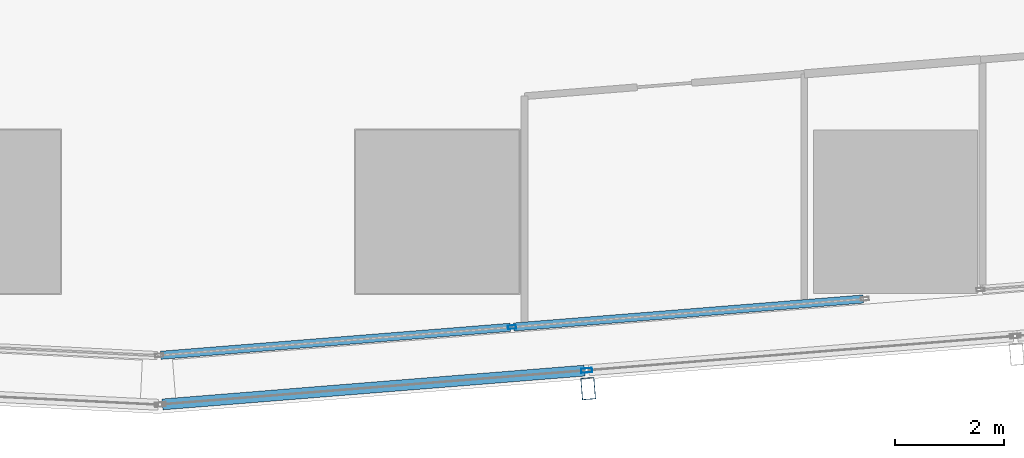
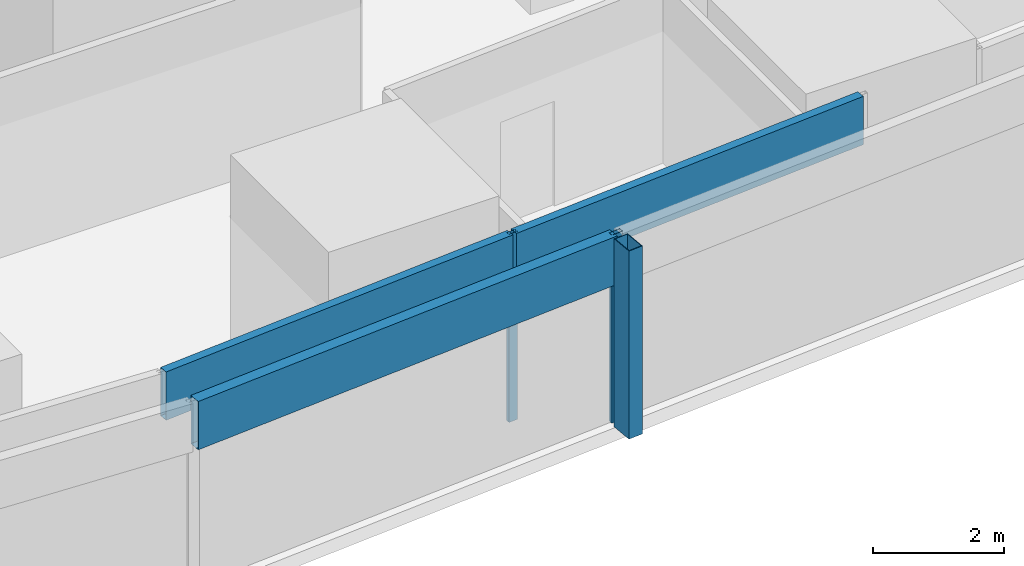
# One storey, part 10 of 45: 6 members, 2 elements without a shape of their own.
"""IFC4 building model written with IfcOpenShell, lengths in metres."""

from ifc_helpers import new_model, si_unit, direction, frame, origin, origin_2d, place, context, subcontext, project, spatial, hollow_rectangle, extrude, material, material_profile, profile_set, type_object, element, aggregate, save


model = new_model("IFC4")

# Units and contexts
model_context = context("Model", 3, precision=1e-05, world=origin(), true_north=direction((0.0, 1.0)))
body_context = subcontext(model_context, "Body", "Model", "MODEL_VIEW")
ifc_project = project(units=[si_unit("LENGTHUNIT", "METRE"), si_unit("AREAUNIT", "SQUARE_METRE"), si_unit("VOLUMEUNIT", "CUBIC_METRE"), si_unit("PLANEANGLEUNIT", "RADIAN"), si_unit("MASSUNIT", "GRAM", prefix="KILO")], contexts=[model_context])

# Site, building, storey
site_placement = place(None, origin())
site = spatial("IfcSite", under=ifc_project, at=site_placement, CompositionType="ELEMENT")
building_placement = place(site_placement, origin())
building = spatial("IfcBuilding", under=site, at=building_placement, Name="Rekha Terrace Tower", CompositionType="ELEMENT")
storey_placement = place(building_placement, frame((0.0, 0.0, 77.89990234375)))
storey = spatial("IfcBuildingStorey", under=building, at=storey_placement, Name="L19", CompositionType="ELEMENT", Elevation=77.89990234375)

# Curtain wall, member
ifc_material_1 = material(Name="Aluminium framing", Category="aluminium")
curtain_wall_type_1 = type_object("IfcCurtainWallType", Name="CW2 double skin outer glazing", PredefinedType="USERDEFINED", material=ifc_material_1)
curtain_wall_1_placement = place(storey_placement, origin())
curtain_wall_1 = element("IfcCurtainWall", 1, at=curtain_wall_1_placement, inside=storey, type_object=curtain_wall_type_1, Name="CW2 double skin outer glazing", ObjectType="DOUBLE SKIN OUTER GLAZING", PredefinedType="USERDEFINED")
ifc_material_2 = material(Name="Steel S355 with fluorocarbon finish", Category="steel")
ifc_material_profile_1 = material_profile(ifc_material_2, hollow_rectangle(XDim=0.25, YDim=0.39990234375, WallThickness=0.012451171875, at=origin_2d()), Name="RHS400x250x12.5")
ifc_profile_set_1 = profile_set([ifc_material_profile_1], Name="Steel S355 with fluorocarbon finish")
member_type_1 = type_object("IfcMemberType", Name="BL1 facade blade RHS 400 x 250", PredefinedType="USERDEFINED", material=ifc_profile_set_1)
member_1_placement = place(storey_placement, frame((53.16748046875, 5.15576171875, 0.0), z_axis=(0.0, 0.0, 1.0), x_axis=(0.996805139821, 0.079871855039, 0.0)))
member_1 = element("IfcMember", 2, at=member_1_placement, type_object=member_type_1, Name="Facade blade", ObjectType="FACADE BLADE", PredefinedType="USERDEFINED", context=body_context, shape_type="SweptSolid", body=[
    extrude(hollow_rectangle(XDim=0.25, YDim=0.39990234375, WallThickness=0.012451171875, at=origin_2d()), origin(), (0.0, 0.0, 1.0), 3.5),
])

# Curtain wall, members
curtain_wall_type_2 = type_object("IfcCurtainWallType", Name="CW1 double skin inner glazing", PredefinedType="USERDEFINED", material=ifc_material_1)
curtain_wall_2_placement = place(storey_placement, origin())
curtain_wall_2 = element("IfcCurtainWall", 3, at=curtain_wall_2_placement, inside=storey, type_object=curtain_wall_type_2, Name="CW1 double skin inner glazing", ObjectType="DOUBLE SKIN INNER GLAZING", PredefinedType="USERDEFINED")
ifc_material_3 = material(Name="Aluminium mullion section", Category="aluminium")
ifc_material_profile_2 = material_profile(ifc_material_3, hollow_rectangle(XDim=0.06494140625, YDim=0.14990234375, WallThickness=0.00390625, at=origin_2d()), Name="AL RHS 65x150")
ifc_profile_set_2 = profile_set([ifc_material_profile_2], Name="Aluminium mullion section")
member_type_2 = type_object("IfcMemberType", Name="CW1 mullion RHS 65 x 150", PredefinedType="MULLION", material=ifc_profile_set_2)
member_2_placement = place(storey_placement, frame((51.771240234375, 6.282958984375, 0.0), z_axis=(0.0, 0.0, 1.0), x_axis=(-0.079872204468, 0.996805111821, 0.0)))
member_2 = element("IfcMember", 4, at=member_2_placement, type_object=member_type_2, Name="CW1 mullion 2", PredefinedType="MULLION", context=body_context, shape_type="SweptSolid", body=[
    extrude(hollow_rectangle(XDim=0.06494140625, YDim=0.14990234375, WallThickness=0.00390625, at=origin_2d()), origin(), (0.0, 0.0, 1.0), 3.5),
])
ifc_material_4 = material(Name="Insulated aluminium spandrel box", Category="aluminium")
ifc_material_profile_3 = material_profile(ifc_material_4, hollow_rectangle(XDim=0.14990234375, YDim=0.89990234375, WallThickness=0.0029296875, at=origin_2d()), Name="AL SPANDREL BOX 150x900")
ifc_profile_set_3 = profile_set([ifc_material_profile_3], Name="Insulated aluminium spandrel box")
member_type_3 = type_object("IfcMemberType", Name="CW1 spandrel transom 150 x 900", PredefinedType="USERDEFINED", material=ifc_profile_set_3)
member_3_placement = place(storey_placement, frame((45.33642578125, 5.767333984375, 3.050048828125), z_axis=(0.996806207764, 0.07985852593, 0.0), x_axis=(-0.07985852593, 0.996806207764, 0.0)))
member_3 = element("IfcMember", 5, at=member_3_placement, type_object=member_type_3, Name="CW1 spandrel transom 1", ObjectType="TRANSOM", PredefinedType="USERDEFINED", context=body_context, shape_type="SweptSolid", body=[
    extrude(hollow_rectangle(XDim=0.14990234375, YDim=0.89990234375, WallThickness=0.0029296875, at=origin_2d()), origin(), (0.0, 0.0, 1.0), 6.423095703125),
])
member_4_placement = place(storey_placement, frame((51.8037109375, 6.285400390625, 3.050048828125), z_axis=(0.996803181348, 0.079896293125, 0.0), x_axis=(-0.079896293125, 0.996803181348, 0.0)))
member_4 = element("IfcMember", 6, at=member_4_placement, type_object=member_type_3, Name="CW1 spandrel transom 2", ObjectType="TRANSOM", PredefinedType="USERDEFINED", context=body_context, shape_type="SweptSolid", body=[
    extrude(hollow_rectangle(XDim=0.14990234375, YDim=0.89990234375, WallThickness=0.0029296875, at=origin_2d()), origin(), (0.0, 0.0, 1.0), 6.423095703125),
])
aggregate(curtain_wall_2, [member_2, member_3, member_4])

# Member
ifc_material_profile_4 = material_profile(ifc_material_3, hollow_rectangle(XDim=0.080078125, YDim=0.199951171875, WallThickness=0.00390625, at=origin_2d()), Name="AL RHS 80x200")
ifc_profile_set_4 = profile_set([ifc_material_profile_4], Name="Aluminium mullion section")
member_type_4 = type_object("IfcMemberType", Name="CW2 mullion RHS 80 x 200", PredefinedType="MULLION", material=ifc_profile_set_4)
member_5_placement = place(storey_placement, frame((53.140869140625, 5.48974609375, 0.0), z_axis=(0.0, 0.0, 1.0), x_axis=(-0.079872204468, 0.996805111821, 0.0)))
member_5 = element("IfcMember", 7, at=member_5_placement, type_object=member_type_4, Name="CW2 mullion 2", PredefinedType="MULLION", context=body_context, shape_type="SweptSolid", body=[
    extrude(hollow_rectangle(XDim=0.080078125, YDim=0.199951171875, WallThickness=0.00390625, at=origin_2d()), origin(), (0.0, 0.0, 1.0), 3.5),
])

ifc_material_profile_5 = material_profile(ifc_material_4, hollow_rectangle(XDim=0.199951171875, YDim=0.89990234375, WallThickness=0.0029296875, at=origin_2d()), Name="AL SPANDREL BOX 200x900")
ifc_profile_set_5 = profile_set([ifc_material_profile_5], Name="Insulated aluminium spandrel box")
member_type_5 = type_object("IfcMemberType", Name="CW2 spandrel transom 200 x 900", PredefinedType="USERDEFINED", material=ifc_profile_set_5)
member_6_placement = place(storey_placement, frame((45.365234375, 4.86669921875, 3.050048828125), z_axis=(0.996804766607, 0.079876512622, 0.0), x_axis=(-0.079876512622, 0.996804766607, 0.0)))
member_6 = element("IfcMember", 8, at=member_6_placement, type_object=member_type_5, Name="CW2 spandrel transom 1", ObjectType="TRANSOM", PredefinedType="USERDEFINED", context=body_context, shape_type="SweptSolid", body=[
    extrude(hollow_rectangle(XDim=0.199951171875, YDim=0.89990234375, WallThickness=0.0029296875, at=origin_2d()), origin(), (0.0, 0.0, 1.0), 7.760498046875),
])

aggregate(curtain_wall_1, [member_5, member_6, member_1])

save(model, "model.ifc")
